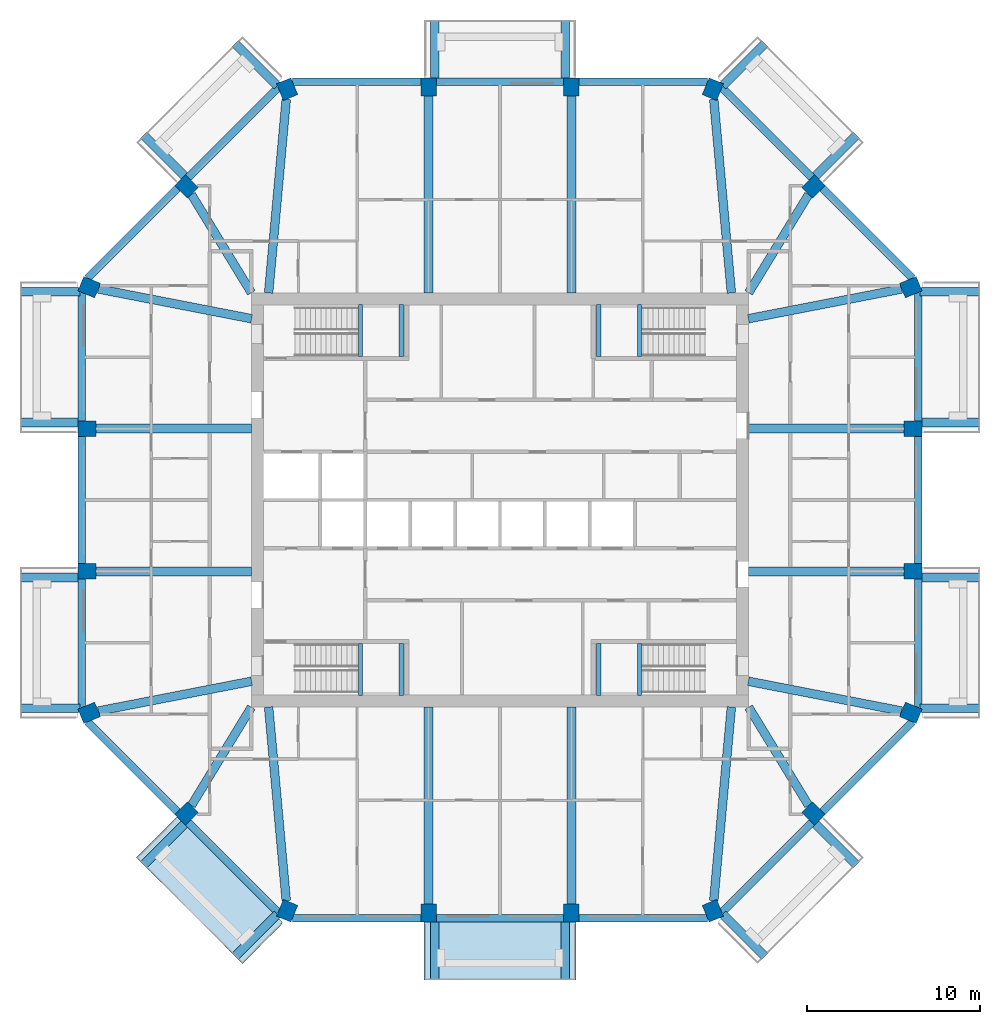
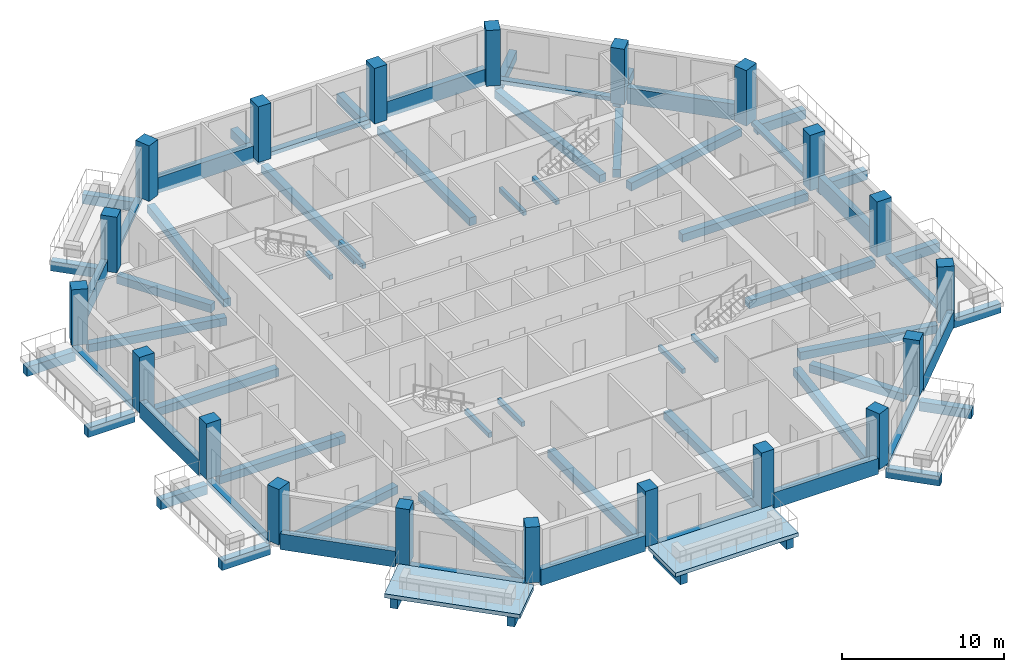
# One storey, part 1 of 12: 68 beams, 20 columns, 2 slabs.
"""IFC4 building model written with IfcOpenShell, lengths in metres."""

from ifc_helpers import new_model, si_unit, direction, frame, origin, origin_2d, place, context, subcontext, project, spatial, polyline, rectangle, outline, extrude, material, layer, layer_set, material_profile, profile_set, type_object, element, save


model = new_model("IFC4")

# Units and contexts
model_context = context("Model", 3, precision=1e-05, world=origin(), true_north=direction((0.0, 1.0)))
body_context = subcontext(model_context, "Body", "Model", "MODEL_VIEW")
ifc_project = project(units=[si_unit("LENGTHUNIT", "METRE"), si_unit("AREAUNIT", "SQUARE_METRE"), si_unit("VOLUMEUNIT", "CUBIC_METRE"), si_unit("PLANEANGLEUNIT", "RADIAN"), si_unit("MASSUNIT", "GRAM", prefix="KILO")], contexts=[model_context])

# Site, building, storey
site_placement = place(None, origin())
site = spatial("IfcSite", under=ifc_project, at=site_placement, CompositionType="ELEMENT")
building_placement = place(site_placement, origin())
building = spatial("IfcBuilding", under=site, at=building_placement, Name="Msitu Wima Residences", CompositionType="ELEMENT")
storey_placement = place(building_placement, frame((0.0, 0.0, 170.699951171875)))
storey = spatial("IfcBuildingStorey", under=building, at=storey_placement, Name="L39", CompositionType="ELEMENT", Elevation=170.699951171875)

# Columns
ifc_material_1 = material(Name="Concrete C60/75", Category="concrete")
ifc_material_profile_1 = material_profile(ifc_material_1, rectangle(XDim=0.89990234375, YDim=1.050048828125, at=origin_2d()), Name="RC 900x1050")
ifc_profile_set_1 = profile_set([ifc_material_profile_1], Name="Concrete C60/75")
column_type = type_object("IfcColumnType", Name="Column RC 900x1050 Concrete C60/75", PredefinedType="COLUMN", material=ifc_profile_set_1)
for number, where, z_axis, x_axis, name in (
    (1, (23.792724609375, -12.325927734375, 0.0), (0.0, 0.0, 1.0), (0.382683496864, 0.923879505795, 0.0), "Column L39 C-E0"),
    (2, (23.925048828125, -4.13720703125, 0.0), (0.0, 0.0, 1.0), (0.0, 1.0, 0.0), "Column L39 C-E1"),
    (3, (23.925048828125, 4.13720703125, 0.0), (0.0, 0.0, 1.0), (0.0, 1.0, 0.0), "Column L39 C-E2"),
    (4, (23.792724609375, 12.325927734375, 0.0), (0.0, 0.0, 1.0), (-0.382683496864, 0.923879505795, 0.0), "Column L39 C-NE0"),
    (5, (18.15283203125, 18.15283203125, 0.0), (0.0, 0.0, 1.0), (-0.707106781187, 0.707106781187, 0.0), "Column L39 C-NE1"),
    (6, (12.325927734375, 23.792724609375, 0.0), (0.0, 0.0, 1.0), (-0.923879505795, 0.382683496864, 0.0), "Column L39 C-N0"),
    (7, (4.13720703125, 23.925048828125, 0.0), (0.0, 0.0, 1.0), (-1.0, 0.0, 0.0), "Column L39 C-N1"),
    (8, (-4.13720703125, 23.925048828125, 0.0), (0.0, 0.0, 1.0), (-1.0, 0.0, 0.0), "Column L39 C-N2"),
    (9, (-12.325927734375, 23.792724609375, 0.0), (0.0, 0.0, 1.0), (-0.923879505795, -0.382683496864, 0.0), "Column L39 C-NW0"),
    (10, (-18.15283203125, 18.15283203125, 0.0), (0.0, 0.0, 1.0), (-0.707106781187, -0.707106781187, 0.0), "Column L39 C-NW1"),
    (11, (-23.792724609375, 12.325927734375, 0.0), (0.0, 0.0, 1.0), (-0.382683496864, -0.923879505795, 0.0), "Column L39 C-W0"),
    (12, (-23.925048828125, 4.13720703125, 0.0), (0.0, 0.0, 1.0), (0.0, -1.0, 0.0), "Column L39 C-W1"),
    (13, (-23.925048828125, -4.13720703125, 0.0), (0.0, 0.0, 1.0), (0.0, -1.0, 0.0), "Column L39 C-W2"),
    (14, (-23.792724609375, -12.325927734375, 0.0), (0.0, 0.0, 1.0), (0.382683496864, -0.923879505795, 0.0), "Column L39 C-SW0"),
    (15, (-18.15283203125, -18.15283203125, 0.0), (0.0, 0.0, 1.0), (0.707106781187, -0.707106781187, 0.0), "Column L39 C-SW1"),
    (16, (-12.325927734375, -23.792724609375, 0.0), (0.0, 0.0, 1.0), (0.923879505795, -0.382683496864, 0.0), "Column L39 C-S0"),
    (17, (-4.13720703125, -23.925048828125, 0.0), (0.0, 0.0, 1.0), (1.0, 0.0, 0.0), "Column L39 C-S1"),
    (18, (4.13720703125, -23.925048828125, 0.0), (0.0, 0.0, 1.0), (1.0, 0.0, 0.0), "Column L39 C-S2"),
    (19, (12.325927734375, -23.792724609375, 0.0), (0.0, 0.0, 1.0), (0.923879505795, 0.382683496864, 0.0), "Column L39 C-SE0"),
    (20, (18.15283203125, -18.15283203125, 0.0), (0.0, 0.0, 1.0), (0.707106781187, 0.707106781187, 0.0), "Column L39 C-SE1"),
):
    element("IfcColumn", number, at=place(storey_placement, frame(where, z_axis=z_axis, x_axis=x_axis)), inside=storey, type_object=column_type, Name=name, PredefinedType="COLUMN", context=body_context, shape_type="SweptSolid", body=[
        extrude(rectangle(XDim=0.89990234375, YDim=1.050048828125, at=origin_2d()), origin(), (0.0, 0.0, 1.0), 4.199951171875),
    ])

# Beams
ifc_material_2 = material(Name="Concrete C50/60", Category="concrete")
ifc_material_profile_2 = material_profile(ifc_material_2, rectangle(XDim=0.5, YDim=0.60009765625, at=origin_2d()), Name="RC 500x600")
ifc_profile_set_2 = profile_set([ifc_material_profile_2], Name="Concrete C50/60")
beam_type_1 = type_object("IfcBeamType", Name="Beam RC 500x600 Concrete C50/60", PredefinedType="BEAM", material=ifc_profile_set_2)
beam_1_placement = place(storey_placement, frame((23.266845703125, -12.2236328125, -0.550048828125), z_axis=(-0.981627328559, 0.190808248841, 0.0), x_axis=(-0.190808248841, -0.981627328559, 0.0)))
element("IfcBeam", 21, at=beam_1_placement, inside=storey, type_object=beam_type_1, Name="Beam L39 C-E0", PredefinedType="BEAM", context=body_context, shape_type="SweptSolid", body=[
    extrude(rectangle(XDim=0.5, YDim=0.60009765625, at=origin_2d()), origin(), (0.0, 0.0, 1.0), 9.044921875),
])
for number, where, z_axis, x_axis, name in (
    (22, (23.39990234375, -4.13720703125, -0.550048828125), (-1.0, 0.0, 0.0), (0.0, -1.0, 0.0), "Beam L39 C-E1"),
    (23, (23.39990234375, 4.13720703125, -0.550048828125), (-1.0, 0.0, 0.0), (0.0, -1.0, 0.0), "Beam L39 C-E2"),
):
    element("IfcBeam", number, at=place(storey_placement, frame(where, z_axis=z_axis, x_axis=x_axis)), inside=storey, type_object=beam_type_1, Name=name, PredefinedType="BEAM", context=body_context, shape_type="SweptSolid", body=[
        extrude(rectangle(XDim=0.5, YDim=0.60009765625, at=origin_2d()), origin(), (0.0, 0.0, 1.0), 9.0),
    ])
beam_2_placement = place(storey_placement, frame((23.266845703125, 12.2236328125, -0.550048828125), z_axis=(-0.981627328559, -0.190808248841, 0.0), x_axis=(0.190808248841, -0.981627328559, 0.0)))
element("IfcBeam", 24, at=beam_2_placement, inside=storey, type_object=beam_type_1, Name="Beam L39 C-NE0", PredefinedType="BEAM", context=body_context, shape_type="SweptSolid", body=[
    extrude(rectangle(XDim=0.5, YDim=0.60009765625, at=origin_2d()), origin(), (0.0, 0.0, 1.0), 9.044921875),
])
beam_3_placement = place(storey_placement, frame((17.87158203125, 17.691650390625, -0.550048828125), z_axis=(-0.520734381113, -0.853718750132, 0.0), x_axis=(0.853718750132, -0.520734381113, 0.0)))
element("IfcBeam", 25, at=beam_3_placement, inside=storey, type_object=beam_type_1, Name="Beam L39 C-NE1", PredefinedType="BEAM", context=body_context, shape_type="SweptSolid", body=[
    extrude(rectangle(XDim=0.5, YDim=0.60009765625, at=origin_2d()), origin(), (0.0, 0.0, 1.0), 6.6669921875),
])
beam_4_placement = place(storey_placement, frame((12.379638671875, 23.2021484375, -0.550048828125), z_axis=(0.090713636077, -0.995877018627, 0.0), x_axis=(0.995877018627, 0.090713636077, 0.0)))
element("IfcBeam", 26, at=beam_4_placement, inside=storey, type_object=beam_type_1, Name="Beam L39 C-N0", PredefinedType="BEAM", context=body_context, shape_type="SweptSolid", body=[
    extrude(rectangle(XDim=0.5, YDim=0.60009765625, at=origin_2d()), origin(), (0.0, 0.0, 1.0), 11.260498046875),
])
for number, where, z_axis, x_axis, name in (
    (27, (4.13720703125, 23.39990234375, -0.550048828125), (0.0, -1.0, 0.0), (1.0, 0.0, 0.0), "Beam L39 C-N1"),
    (28, (-4.13720703125, 23.39990234375, -0.550048828125), (0.0, -1.0, 0.0), (1.0, 0.0, 0.0), "Beam L39 C-N2"),
):
    element("IfcBeam", number, at=place(storey_placement, frame(where, z_axis=z_axis, x_axis=x_axis)), inside=storey, type_object=beam_type_1, Name=name, PredefinedType="BEAM", context=body_context, shape_type="SweptSolid", body=[
        extrude(rectangle(XDim=0.5, YDim=0.60009765625, at=origin_2d()), origin(), (0.0, 0.0, 1.0), 11.39990234375),
    ])
beam_5_placement = place(storey_placement, frame((-12.379638671875, 23.2021484375, -0.550048828125), z_axis=(-0.090713636077, -0.995877018627, 0.0), x_axis=(0.995877018627, -0.090713636077, 0.0)))
element("IfcBeam", 29, at=beam_5_placement, inside=storey, type_object=beam_type_1, Name="Beam L39 C-NW0", PredefinedType="BEAM", context=body_context, shape_type="SweptSolid", body=[
    extrude(rectangle(XDim=0.5, YDim=0.60009765625, at=origin_2d()), origin(), (0.0, 0.0, 1.0), 11.260498046875),
])
beam_6_placement = place(storey_placement, frame((-17.87158203125, 17.691650390625, -0.550048828125), z_axis=(0.520734381113, -0.853718750132, 0.0), x_axis=(0.853718750132, 0.520734381113, 0.0)))
element("IfcBeam", 30, at=beam_6_placement, inside=storey, type_object=beam_type_1, Name="Beam L39 C-NW1", PredefinedType="BEAM", context=body_context, shape_type="SweptSolid", body=[
    extrude(rectangle(XDim=0.5, YDim=0.60009765625, at=origin_2d()), origin(), (0.0, 0.0, 1.0), 6.6669921875),
])
beam_7_placement = place(storey_placement, frame((-23.266845703125, 12.2236328125, -0.550048828125), z_axis=(0.981627328559, -0.190808248841, 0.0), x_axis=(0.190808248841, 0.981627328559, 0.0)))
element("IfcBeam", 31, at=beam_7_placement, inside=storey, type_object=beam_type_1, Name="Beam L39 C-W0", PredefinedType="BEAM", context=body_context, shape_type="SweptSolid", body=[
    extrude(rectangle(XDim=0.5, YDim=0.60009765625, at=origin_2d()), origin(), (0.0, 0.0, 1.0), 9.044921875),
])
for number, where, z_axis, x_axis, name in (
    (32, (-23.39990234375, 4.13720703125, -0.550048828125), (1.0, 0.0, 0.0), (0.0, 1.0, 0.0), "Beam L39 C-W1"),
    (33, (-23.39990234375, -4.13720703125, -0.550048828125), (1.0, 0.0, 0.0), (0.0, 1.0, 0.0), "Beam L39 C-W2"),
):
    element("IfcBeam", number, at=place(storey_placement, frame(where, z_axis=z_axis, x_axis=x_axis)), inside=storey, type_object=beam_type_1, Name=name, PredefinedType="BEAM", context=body_context, shape_type="SweptSolid", body=[
        extrude(rectangle(XDim=0.5, YDim=0.60009765625, at=origin_2d()), origin(), (0.0, 0.0, 1.0), 9.0),
    ])
beam_8_placement = place(storey_placement, frame((-23.266845703125, -12.2236328125, -0.550048828125), z_axis=(0.981627328559, 0.190808248841, 0.0), x_axis=(-0.190808248841, 0.981627328559, 0.0)))
element("IfcBeam", 34, at=beam_8_placement, inside=storey, type_object=beam_type_1, Name="Beam L39 C-SW0", PredefinedType="BEAM", context=body_context, shape_type="SweptSolid", body=[
    extrude(rectangle(XDim=0.5, YDim=0.60009765625, at=origin_2d()), origin(), (0.0, 0.0, 1.0), 9.044921875),
])
beam_9_placement = place(storey_placement, frame((-17.87158203125, -17.691650390625, -0.550048828125), z_axis=(0.520734381113, 0.853718750132, 0.0), x_axis=(-0.853718750132, 0.520734381113, 0.0)))
element("IfcBeam", 35, at=beam_9_placement, inside=storey, type_object=beam_type_1, Name="Beam L39 C-SW1", PredefinedType="BEAM", context=body_context, shape_type="SweptSolid", body=[
    extrude(rectangle(XDim=0.5, YDim=0.60009765625, at=origin_2d()), origin(), (0.0, 0.0, 1.0), 6.6669921875),
])
beam_10_placement = place(storey_placement, frame((-12.379638671875, -23.2021484375, -0.550048828125), z_axis=(-0.090713636077, 0.995877018627, 0.0), x_axis=(-0.995877018627, -0.090713636077, 0.0)))
element("IfcBeam", 36, at=beam_10_placement, inside=storey, type_object=beam_type_1, Name="Beam L39 C-S0", PredefinedType="BEAM", context=body_context, shape_type="SweptSolid", body=[
    extrude(rectangle(XDim=0.5, YDim=0.60009765625, at=origin_2d()), origin(), (0.0, 0.0, 1.0), 11.260498046875),
])
for number, where, z_axis, x_axis, name in (
    (37, (-4.13720703125, -23.39990234375, -0.550048828125), (0.0, 1.0, 0.0), (-1.0, 0.0, 0.0), "Beam L39 C-S1"),
    (38, (4.13720703125, -23.39990234375, -0.550048828125), (0.0, 1.0, 0.0), (-1.0, 0.0, 0.0), "Beam L39 C-S2"),
):
    element("IfcBeam", number, at=place(storey_placement, frame(where, z_axis=z_axis, x_axis=x_axis)), inside=storey, type_object=beam_type_1, Name=name, PredefinedType="BEAM", context=body_context, shape_type="SweptSolid", body=[
        extrude(rectangle(XDim=0.5, YDim=0.60009765625, at=origin_2d()), origin(), (0.0, 0.0, 1.0), 11.39990234375),
    ])
beam_11_placement = place(storey_placement, frame((12.379638671875, -23.2021484375, -0.550048828125), z_axis=(0.090713636077, 0.995877018627, 0.0), x_axis=(-0.995877018627, 0.090713636077, 0.0)))
element("IfcBeam", 39, at=beam_11_placement, inside=storey, type_object=beam_type_1, Name="Beam L39 C-SE0", PredefinedType="BEAM", context=body_context, shape_type="SweptSolid", body=[
    extrude(rectangle(XDim=0.5, YDim=0.60009765625, at=origin_2d()), origin(), (0.0, 0.0, 1.0), 11.260498046875),
])
beam_12_placement = place(storey_placement, frame((17.87158203125, -17.691650390625, -0.550048828125), z_axis=(-0.520734381113, 0.853718750132, 0.0), x_axis=(-0.853718750132, -0.520734381113, 0.0)))
element("IfcBeam", 40, at=beam_12_placement, inside=storey, type_object=beam_type_1, Name="Beam L39 C-SE1", PredefinedType="BEAM", context=body_context, shape_type="SweptSolid", body=[
    extrude(rectangle(XDim=0.5, YDim=0.60009765625, at=origin_2d()), origin(), (0.0, 0.0, 1.0), 6.6669921875),
])
ifc_material_profile_3 = material_profile(ifc_material_2, rectangle(XDim=0.5, YDim=0.699951171875, at=origin_2d()), Name="RC 500x700")
ifc_profile_set_3 = profile_set([ifc_material_profile_3], Name="Concrete C50/60")
beam_type_2 = type_object("IfcBeamType", Name="Cantilever beam RC 500x700 Concrete C50/60", PredefinedType="BEAM", material=ifc_profile_set_3)
beam_13_placement = place(storey_placement, frame((24.330810546875, -12.061767578125, -0.64990234375), z_axis=(1.0, 0.0, 0.0), x_axis=(0.0, 1.0, 0.0)))
element("IfcBeam", 41, at=beam_13_placement, inside=storey, type_object=beam_type_2, Name="Cantilever beam L39 BA-E0 A", PredefinedType="BEAM", context=body_context, shape_type="SweptSolid", body=[
    extrude(rectangle(XDim=0.5, YDim=0.699951171875, at=origin_2d()), origin(), (0.0, 0.0, 1.0), 3.46923828125),
])
for number, where, z_axis, x_axis, name in (
    (42, (24.449951171875, -4.4873046875, -0.64990234375), (1.0, 0.0, 0.0), (0.0, 1.0, 0.0), "Cantilever beam L39 BA-E0 B"),
    (43, (24.449951171875, 4.4873046875, -0.64990234375), (1.0, 0.0, 0.0), (0.0, 1.0, 0.0), "Cantilever beam L39 BA-E2 A"),
):
    element("IfcBeam", number, at=place(storey_placement, frame(where, z_axis=z_axis, x_axis=x_axis)), inside=storey, type_object=beam_type_2, Name=name, PredefinedType="BEAM", context=body_context, shape_type="SweptSolid", body=[
        extrude(rectangle(XDim=0.5, YDim=0.699951171875, at=origin_2d()), origin(), (0.0, 0.0, 1.0), 3.35009765625),
    ])
beam_14_placement = place(storey_placement, frame((24.330810546875, 12.061767578125, -0.64990234375), z_axis=(1.0, 0.0, 0.0), x_axis=(0.0, 1.0, 0.0)))
element("IfcBeam", 44, at=beam_14_placement, inside=storey, type_object=beam_type_2, Name="Cantilever beam L39 BA-E2 B", PredefinedType="BEAM", context=body_context, shape_type="SweptSolid", body=[
    extrude(rectangle(XDim=0.5, YDim=0.699951171875, at=origin_2d()), origin(), (0.0, 0.0, 1.0), 3.46923828125),
])
beam_15_placement = place(storey_placement, frame((18.276611328125, 18.771484375, -0.64990234375), z_axis=(0.707106781187, 0.707106781187, 0.0), x_axis=(-0.707106781187, 0.707106781187, 0.0)))
element("IfcBeam", 45, at=beam_15_placement, inside=storey, type_object=beam_type_2, Name="Cantilever beam L39 BA-NE1 A", PredefinedType="BEAM", context=body_context, shape_type="SweptSolid", body=[
    extrude(rectangle(XDim=0.5, YDim=0.699951171875, at=origin_2d()), origin(), (0.0, 0.0, 1.0), 3.35009765625),
])
beam_16_placement = place(storey_placement, frame((12.893310546875, 23.986572265625, -0.64990234375), z_axis=(0.707106781187, 0.707106781187, 0.0), x_axis=(-0.707106781187, 0.707106781187, 0.0)))
element("IfcBeam", 46, at=beam_16_placement, inside=storey, type_object=beam_type_2, Name="Cantilever beam L39 BA-NE1 B", PredefinedType="BEAM", context=body_context, shape_type="SweptSolid", body=[
    extrude(rectangle(XDim=0.5, YDim=0.699951171875, at=origin_2d()), origin(), (0.0, 0.0, 1.0), 3.468994140625),
])
for number, where, z_axis, x_axis, name in (
    (47, (3.787353515625, 24.449951171875, -0.64990234375), (0.0, 1.0, 0.0), (-1.0, 0.0, 0.0), "Cantilever beam L39 BA-N1 A"),
    (48, (-3.787353515625, 24.449951171875, -0.64990234375), (0.0, 1.0, 0.0), (-1.0, 0.0, 0.0), "Cantilever beam L39 BA-N1 B"),
):
    element("IfcBeam", number, at=place(storey_placement, frame(where, z_axis=z_axis, x_axis=x_axis)), inside=storey, type_object=beam_type_2, Name=name, PredefinedType="BEAM", context=body_context, shape_type="SweptSolid", body=[
        extrude(rectangle(XDim=0.5, YDim=0.699951171875, at=origin_2d()), origin(), (0.0, 0.0, 1.0), 3.35009765625),
    ])
beam_17_placement = place(storey_placement, frame((-12.893310546875, 23.986572265625, -0.64990234375), z_axis=(-0.707106781187, 0.707106781187, 0.0), x_axis=(-0.707106781187, -0.707106781187, 0.0)))
element("IfcBeam", 49, at=beam_17_placement, inside=storey, type_object=beam_type_2, Name="Cantilever beam L39 BA-NW0 A", PredefinedType="BEAM", context=body_context, shape_type="SweptSolid", body=[
    extrude(rectangle(XDim=0.5, YDim=0.699951171875, at=origin_2d()), origin(), (0.0, 0.0, 1.0), 3.468994140625),
])
beam_18_placement = place(storey_placement, frame((-18.276611328125, 18.771484375, -0.64990234375), z_axis=(-0.707106781187, 0.707106781187, 0.0), x_axis=(-0.707106781187, -0.707106781187, 0.0)))
element("IfcBeam", 50, at=beam_18_placement, inside=storey, type_object=beam_type_2, Name="Cantilever beam L39 BA-NW0 B", PredefinedType="BEAM", context=body_context, shape_type="SweptSolid", body=[
    extrude(rectangle(XDim=0.5, YDim=0.699951171875, at=origin_2d()), origin(), (0.0, 0.0, 1.0), 3.35009765625),
])
beam_19_placement = place(storey_placement, frame((-24.330810546875, 12.061767578125, -0.64990234375), z_axis=(-1.0, 0.0, 0.0), x_axis=(0.0, -1.0, 0.0)))
element("IfcBeam", 51, at=beam_19_placement, inside=storey, type_object=beam_type_2, Name="Cantilever beam L39 BA-W0 A", PredefinedType="BEAM", context=body_context, shape_type="SweptSolid", body=[
    extrude(rectangle(XDim=0.5, YDim=0.699951171875, at=origin_2d()), origin(), (0.0, 0.0, 1.0), 3.46923828125),
])
for number, where, z_axis, x_axis, name in (
    (52, (-24.449951171875, 4.4873046875, -0.64990234375), (-1.0, 0.0, 0.0), (0.0, -1.0, 0.0), "Cantilever beam L39 BA-W0 B"),
    (53, (-24.449951171875, -4.4873046875, -0.64990234375), (-1.0, 0.0, 0.0), (0.0, -1.0, 0.0), "Cantilever beam L39 BA-W2 A"),
):
    element("IfcBeam", number, at=place(storey_placement, frame(where, z_axis=z_axis, x_axis=x_axis)), inside=storey, type_object=beam_type_2, Name=name, PredefinedType="BEAM", context=body_context, shape_type="SweptSolid", body=[
        extrude(rectangle(XDim=0.5, YDim=0.699951171875, at=origin_2d()), origin(), (0.0, 0.0, 1.0), 3.35009765625),
    ])
beam_20_placement = place(storey_placement, frame((-24.330810546875, -12.061767578125, -0.64990234375), z_axis=(-1.0, 0.0, 0.0), x_axis=(0.0, -1.0, 0.0)))
element("IfcBeam", 54, at=beam_20_placement, inside=storey, type_object=beam_type_2, Name="Cantilever beam L39 BA-W2 B", PredefinedType="BEAM", context=body_context, shape_type="SweptSolid", body=[
    extrude(rectangle(XDim=0.5, YDim=0.699951171875, at=origin_2d()), origin(), (0.0, 0.0, 1.0), 3.46923828125),
])
beam_21_placement = place(storey_placement, frame((-18.276611328125, -18.771484375, -0.64990234375), z_axis=(-0.707106781187, -0.707106781187, 0.0), x_axis=(0.707106781187, -0.707106781187, 0.0)))
element("IfcBeam", 55, at=beam_21_placement, inside=storey, type_object=beam_type_2, Name="Cantilever beam L39 BA-SW1 A", PredefinedType="BEAM", context=body_context, shape_type="SweptSolid", body=[
    extrude(rectangle(XDim=0.5, YDim=0.699951171875, at=origin_2d()), origin(), (0.0, 0.0, 1.0), 3.35009765625),
])
beam_22_placement = place(storey_placement, frame((-12.893310546875, -23.986572265625, -0.64990234375), z_axis=(-0.707106781187, -0.707106781187, 0.0), x_axis=(0.707106781187, -0.707106781187, 0.0)))
element("IfcBeam", 56, at=beam_22_placement, inside=storey, type_object=beam_type_2, Name="Cantilever beam L39 BA-SW1 B", PredefinedType="BEAM", context=body_context, shape_type="SweptSolid", body=[
    extrude(rectangle(XDim=0.5, YDim=0.699951171875, at=origin_2d()), origin(), (0.0, 0.0, 1.0), 3.468994140625),
])
for number, where, z_axis, x_axis, name in (
    (57, (-3.787353515625, -24.449951171875, -0.64990234375), (0.0, -1.0, 0.0), (1.0, 0.0, 0.0), "Cantilever beam L39 BA-S1 A"),
    (58, (3.787353515625, -24.449951171875, -0.64990234375), (0.0, -1.0, 0.0), (1.0, 0.0, 0.0), "Cantilever beam L39 BA-S1 B"),
):
    element("IfcBeam", number, at=place(storey_placement, frame(where, z_axis=z_axis, x_axis=x_axis)), inside=storey, type_object=beam_type_2, Name=name, PredefinedType="BEAM", context=body_context, shape_type="SweptSolid", body=[
        extrude(rectangle(XDim=0.5, YDim=0.699951171875, at=origin_2d()), origin(), (0.0, 0.0, 1.0), 3.35009765625),
    ])
beam_23_placement = place(storey_placement, frame((12.893310546875, -23.986572265625, -0.64990234375), z_axis=(0.707106781187, -0.707106781187, 0.0), x_axis=(0.707106781187, 0.707106781187, 0.0)))
element("IfcBeam", 59, at=beam_23_placement, inside=storey, type_object=beam_type_2, Name="Cantilever beam L39 BA-SE0 A", PredefinedType="BEAM", context=body_context, shape_type="SweptSolid", body=[
    extrude(rectangle(XDim=0.5, YDim=0.699951171875, at=origin_2d()), origin(), (0.0, 0.0, 1.0), 3.468994140625),
])
beam_24_placement = place(storey_placement, frame((18.276611328125, -18.771484375, -0.64990234375), z_axis=(0.707106781187, -0.707106781187, 0.0), x_axis=(0.707106781187, 0.707106781187, 0.0)))
element("IfcBeam", 60, at=beam_24_placement, inside=storey, type_object=beam_type_2, Name="Cantilever beam L39 BA-SE0 B", PredefinedType="BEAM", context=body_context, shape_type="SweptSolid", body=[
    extrude(rectangle(XDim=0.5, YDim=0.699951171875, at=origin_2d()), origin(), (0.0, 0.0, 1.0), 3.35009765625),
])
ifc_material_profile_4 = material_profile(ifc_material_2, rectangle(XDim=0.449951171875, YDim=0.300048828125, at=origin_2d()), Name="RC 450x300")
ifc_profile_set_4 = profile_set([ifc_material_profile_4], Name="Concrete C50/60")
beam_type_3 = type_object("IfcBeamType", Name="Edge beam RC 450x300 Concrete C50/60", PredefinedType="SPANDREL", material=ifc_profile_set_4)
for number, where, z_axis, x_axis, name in (
    (61, (24.22509765625, -12.02978515625, -0.14990234375), (0.0, 1.0, 0.0), (-1.0, 0.0, 0.0), "Spandrel L39 E0"),
    (62, (24.22509765625, 4.587158203125, -0.14990234375), (0.0, 1.0, 0.0), (-1.0, 0.0, 0.0), "Spandrel L39 E2"),
):
    element("IfcBeam", number, at=place(storey_placement, frame(where, z_axis=z_axis, x_axis=x_axis)), inside=storey, type_object=beam_type_3, Name=name, PredefinedType="SPANDREL", context=body_context, shape_type="SweptSolid", body=[
        extrude(rectangle(XDim=0.449951171875, YDim=0.300048828125, at=origin_2d()), origin(), (0.0, 0.0, 1.0), 7.442626953125),
    ])
beam_25_placement = place(storey_placement, frame((18.046875, 18.68310546875, -0.14990234375), z_axis=(-0.707106781187, 0.707106781187, 0.0), x_axis=(-0.707106781187, -0.707106781187, 0.0)))
element("IfcBeam", 63, at=beam_25_placement, inside=storey, type_object=beam_type_3, Name="Spandrel L39 NE1", PredefinedType="SPANDREL", context=body_context, shape_type="SweptSolid", body=[
    extrude(rectangle(XDim=0.449951171875, YDim=0.300048828125, at=origin_2d()), origin(), (0.0, 0.0, 1.0), 7.362548828125),
])
beam_26_placement = place(storey_placement, frame((3.687255859375, 24.22509765625, -0.14990234375), z_axis=(-1.0, 0.0, 0.0), x_axis=(0.0, -1.0, 0.0)))
element("IfcBeam", 64, at=beam_26_placement, inside=storey, type_object=beam_type_3, Name="Spandrel L39 N1", PredefinedType="SPANDREL", context=body_context, shape_type="SweptSolid", body=[
    extrude(rectangle(XDim=0.449951171875, YDim=0.300048828125, at=origin_2d()), origin(), (0.0, 0.0, 1.0), 7.37451171875),
])
beam_27_placement = place(storey_placement, frame((-12.8408203125, 23.88916015625, -0.14990234375), z_axis=(-0.707106781187, -0.707106781187, 0.0), x_axis=(0.707106781187, -0.707106781187, 0.0)))
element("IfcBeam", 65, at=beam_27_placement, inside=storey, type_object=beam_type_3, Name="Spandrel L39 NW0", PredefinedType="SPANDREL", context=body_context, shape_type="SweptSolid", body=[
    extrude(rectangle(XDim=0.449951171875, YDim=0.300048828125, at=origin_2d()), origin(), (0.0, 0.0, 1.0), 7.362548828125),
])
for number, where, z_axis, x_axis, name in (
    (66, (-24.22509765625, 12.02978515625, -0.14990234375), (0.0, -1.0, 0.0), (1.0, 0.0, 0.0), "Spandrel L39 W0"),
    (67, (-24.22509765625, -4.587158203125, -0.14990234375), (0.0, -1.0, 0.0), (1.0, 0.0, 0.0), "Spandrel L39 W2"),
):
    element("IfcBeam", number, at=place(storey_placement, frame(where, z_axis=z_axis, x_axis=x_axis)), inside=storey, type_object=beam_type_3, Name=name, PredefinedType="SPANDREL", context=body_context, shape_type="SweptSolid", body=[
        extrude(rectangle(XDim=0.449951171875, YDim=0.300048828125, at=origin_2d()), origin(), (0.0, 0.0, 1.0), 7.442626953125),
    ])
beam_28_placement = place(storey_placement, frame((-18.046875, -18.68310546875, -0.14990234375), z_axis=(0.707106781187, -0.707106781187, 0.0), x_axis=(0.707106781187, 0.707106781187, 0.0)))
element("IfcBeam", 68, at=beam_28_placement, inside=storey, type_object=beam_type_3, Name="Spandrel L39 SW1", PredefinedType="SPANDREL", context=body_context, shape_type="SweptSolid", body=[
    extrude(rectangle(XDim=0.449951171875, YDim=0.300048828125, at=origin_2d()), origin(), (0.0, 0.0, 1.0), 7.362548828125),
])
beam_29_placement = place(storey_placement, frame((-3.687255859375, -24.22509765625, -0.14990234375), z_axis=(1.0, 0.0, 0.0), x_axis=(0.0, 1.0, 0.0)))
element("IfcBeam", 69, at=beam_29_placement, inside=storey, type_object=beam_type_3, Name="Spandrel L39 S1", PredefinedType="SPANDREL", context=body_context, shape_type="SweptSolid", body=[
    extrude(rectangle(XDim=0.449951171875, YDim=0.300048828125, at=origin_2d()), origin(), (0.0, 0.0, 1.0), 7.37451171875),
])
beam_30_placement = place(storey_placement, frame((12.8408203125, -23.88916015625, -0.14990234375), z_axis=(0.707106781187, 0.707106781187, 0.0), x_axis=(-0.707106781187, 0.707106781187, 0.0)))
element("IfcBeam", 70, at=beam_30_placement, inside=storey, type_object=beam_type_3, Name="Spandrel L39 SE0", PredefinedType="SPANDREL", context=body_context, shape_type="SweptSolid", body=[
    extrude(rectangle(XDim=0.449951171875, YDim=0.300048828125, at=origin_2d()), origin(), (0.0, 0.0, 1.0), 7.362548828125),
])
ifc_material_3 = material(Name="Concrete C40/50", Category="concrete")
ifc_material_profile_5 = material_profile(ifc_material_3, rectangle(XDim=0.25, YDim=0.35009765625, at=origin_2d()), Name="RC 250x350")
ifc_profile_set_5 = profile_set([ifc_material_profile_5], Name="Concrete C40/50")
beam_type_4 = type_object("IfcBeamType", Name="Landing beam RC 250x350", PredefinedType="BEAM", material=ifc_profile_set_5)
for number, where, z_axis, x_axis, name in (
    (71, (-8.074951171875, 8.324951171875, 1.72509765625), (0.0, 1.0, 0.0), (-1.0, 0.0, 0.0), "Stair 1 landing beam"),
    (72, (-5.72509765625, 8.324951171875, 1.72509765625), (0.0, 1.0, 0.0), (-1.0, 0.0, 0.0), "Stair 1 landing beam"),
    (73, (-8.074951171875, -11.324951171875, 1.72509765625), (0.0, 1.0, 0.0), (-1.0, 0.0, 0.0), "Stair 2 landing beam"),
    (74, (-5.72509765625, -11.324951171875, 1.72509765625), (0.0, 1.0, 0.0), (-1.0, 0.0, 0.0), "Stair 2 landing beam"),
    (75, (8.074951171875, 8.324951171875, 1.72509765625), (0.0, 1.0, 0.0), (-1.0, 0.0, 0.0), "Stair 3 landing beam"),
    (76, (5.72509765625, 8.324951171875, 1.72509765625), (0.0, 1.0, 0.0), (-1.0, 0.0, 0.0), "Stair 3 landing beam"),
    (77, (8.074951171875, -11.324951171875, 1.72509765625), (0.0, 1.0, 0.0), (-1.0, 0.0, 0.0), "Stair 4 landing beam"),
    (78, (5.72509765625, -11.324951171875, 1.72509765625), (0.0, 1.0, 0.0), (-1.0, 0.0, 0.0), "Stair 4 landing beam"),
):
    element("IfcBeam", number, at=place(storey_placement, frame(where, z_axis=z_axis, x_axis=x_axis)), inside=storey, type_object=beam_type_4, Name=name, PredefinedType="BEAM", context=body_context, shape_type="SweptSolid", body=[
        extrude(rectangle(XDim=0.25, YDim=0.35009765625, at=origin_2d()), origin(), (0.0, 0.0, 1.0), 3.0),
    ])
ifc_material_profile_6 = material_profile(ifc_material_2, rectangle(XDim=0.449951171875, YDim=1.199951171875, at=origin_2d()), Name="RC 450x1200")
ifc_profile_set_6 = profile_set([ifc_material_profile_6], Name="Concrete C50/60")
beam_type_5 = type_object("IfcBeamType", Name="Spandrel RC 450x1200 Concrete C50/60", PredefinedType="SPANDREL", material=ifc_profile_set_6)
beam_31_placement = place(storey_placement, frame((24.22509765625, -3.687255859375, 0.300048828125), z_axis=(0.0, 1.0, 0.0), x_axis=(-1.0, 0.0, 0.0)))
element("IfcBeam", 79, at=beam_31_placement, inside=storey, type_object=beam_type_5, Name="Spandrel L39 E1", PredefinedType="SPANDREL", context=body_context, shape_type="SweptSolid", body=[
    extrude(rectangle(XDim=0.449951171875, YDim=1.199951171875, at=origin_2d()), origin(), (0.0, 0.0, 1.0), 7.37451171875),
])
beam_32_placement = place(storey_placement, frame((23.88916015625, 12.8408203125, 0.300048828125), z_axis=(-0.707106781187, 0.707106781187, 0.0), x_axis=(-0.707106781187, -0.707106781187, 0.0)))
element("IfcBeam", 80, at=beam_32_placement, inside=storey, type_object=beam_type_5, Name="Spandrel L39 NE0", PredefinedType="SPANDREL", context=body_context, shape_type="SweptSolid", body=[
    extrude(rectangle(XDim=0.449951171875, YDim=1.199951171875, at=origin_2d()), origin(), (0.0, 0.0, 1.0), 7.362548828125),
])
for number, where, z_axis, x_axis, name in (
    (81, (12.02978515625, 24.22509765625, 0.300048828125), (-1.0, 0.0, 0.0), (0.0, -1.0, 0.0), "Spandrel L39 N0"),
    (82, (-4.587158203125, 24.22509765625, 0.300048828125), (-1.0, 0.0, 0.0), (0.0, -1.0, 0.0), "Spandrel L39 N2"),
):
    element("IfcBeam", number, at=place(storey_placement, frame(where, z_axis=z_axis, x_axis=x_axis)), inside=storey, type_object=beam_type_5, Name=name, PredefinedType="SPANDREL", context=body_context, shape_type="SweptSolid", body=[
        extrude(rectangle(XDim=0.449951171875, YDim=1.199951171875, at=origin_2d()), origin(), (0.0, 0.0, 1.0), 7.442626953125),
    ])
beam_33_placement = place(storey_placement, frame((-18.68310546875, 18.046875, 0.300048828125), z_axis=(-0.707106781187, -0.707106781187, 0.0), x_axis=(0.707106781187, -0.707106781187, 0.0)))
element("IfcBeam", 83, at=beam_33_placement, inside=storey, type_object=beam_type_5, Name="Spandrel L39 NW1", PredefinedType="SPANDREL", context=body_context, shape_type="SweptSolid", body=[
    extrude(rectangle(XDim=0.449951171875, YDim=1.199951171875, at=origin_2d()), origin(), (0.0, 0.0, 1.0), 7.362548828125),
])
beam_34_placement = place(storey_placement, frame((-24.22509765625, 3.687255859375, 0.300048828125), z_axis=(0.0, -1.0, 0.0), x_axis=(1.0, 0.0, 0.0)))
element("IfcBeam", 84, at=beam_34_placement, inside=storey, type_object=beam_type_5, Name="Spandrel L39 W1", PredefinedType="SPANDREL", context=body_context, shape_type="SweptSolid", body=[
    extrude(rectangle(XDim=0.449951171875, YDim=1.199951171875, at=origin_2d()), origin(), (0.0, 0.0, 1.0), 7.37451171875),
])
beam_35_placement = place(storey_placement, frame((-23.88916015625, -12.8408203125, 0.300048828125), z_axis=(0.707106781187, -0.707106781187, 0.0), x_axis=(0.707106781187, 0.707106781187, 0.0)))
element("IfcBeam", 85, at=beam_35_placement, inside=storey, type_object=beam_type_5, Name="Spandrel L39 SW0", PredefinedType="SPANDREL", context=body_context, shape_type="SweptSolid", body=[
    extrude(rectangle(XDim=0.449951171875, YDim=1.199951171875, at=origin_2d()), origin(), (0.0, 0.0, 1.0), 7.362548828125),
])
for number, where, z_axis, x_axis, name in (
    (86, (-12.02978515625, -24.22509765625, 0.300048828125), (1.0, 0.0, 0.0), (0.0, 1.0, 0.0), "Spandrel L39 S0"),
    (87, (4.587158203125, -24.22509765625, 0.300048828125), (1.0, 0.0, 0.0), (0.0, 1.0, 0.0), "Spandrel L39 S2"),
):
    element("IfcBeam", number, at=place(storey_placement, frame(where, z_axis=z_axis, x_axis=x_axis)), inside=storey, type_object=beam_type_5, Name=name, PredefinedType="SPANDREL", context=body_context, shape_type="SweptSolid", body=[
        extrude(rectangle(XDim=0.449951171875, YDim=1.199951171875, at=origin_2d()), origin(), (0.0, 0.0, 1.0), 7.442626953125),
    ])
beam_36_placement = place(storey_placement, frame((18.68310546875, -18.046875, 0.300048828125), z_axis=(0.707106781187, 0.707106781187, 0.0), x_axis=(-0.707106781187, 0.707106781187, 0.0)))
element("IfcBeam", 88, at=beam_36_placement, inside=storey, type_object=beam_type_5, Name="Spandrel L39 SE1", PredefinedType="SPANDREL", context=body_context, shape_type="SweptSolid", body=[
    extrude(rectangle(XDim=0.449951171875, YDim=1.199951171875, at=origin_2d()), origin(), (0.0, 0.0, 1.0), 7.362548828125),
])

# Slabs
ifc_layer = layer(ifc_material_3, 0.300048828125)
ifc_layer_set = layer_set([ifc_layer], Name="Concrete C40/50")
slab_type = type_object("IfcSlabType", Name="Balcony slab BS300", PredefinedType="FLOOR", material=ifc_layer_set)
slab_1_placement = place(storey_placement, frame((0.0, 0.0, -0.300048828125)))
element("IfcSlab", 89, at=slab_1_placement, inside=storey, type_object=slab_type, Name="Balcony SW1 L39", PredefinedType="FLOOR", context=body_context, shape_type="SweptSolid", body=[
    extrude(outline(polyline([(-12.942626953125, -24.10546875), (-12.942626953125, -24.10546875), (-12.59814453125, -24.449951171875), (-12.661865234375, -24.603515625), (-14.922119140625, -26.86376953125), (-21.069580078125, -20.716064453125), (-18.700927734375, -18.347412109375), (-12.942626953125, -24.10546875), (-12.942626953125, -24.10546875)])), origin(), (0.0, 0.0, 1.0), 0.300048828125),
])
slab_2_placement = place(storey_placement, frame((0.0, 0.0, -0.300048828125)))
element("IfcSlab", 90, at=slab_2_placement, inside=storey, type_object=slab_type, Name="Balcony S1 L39", PredefinedType="FLOOR", context=body_context, shape_type="SweptSolid", body=[
    extrude(outline(polyline([(-3.687255859375, -24.449951171875), (3.687255859375, -24.449951171875), (4.38720703125, -24.449951171875), (4.38720703125, -27.800048828125), (-4.38720703125, -27.800048828125), (-4.38720703125, -24.449951171875), (-3.687255859375, -24.449951171875)])), origin(), (0.0, 0.0, 1.0), 0.300048828125),
])

save(model, "model.ifc")
